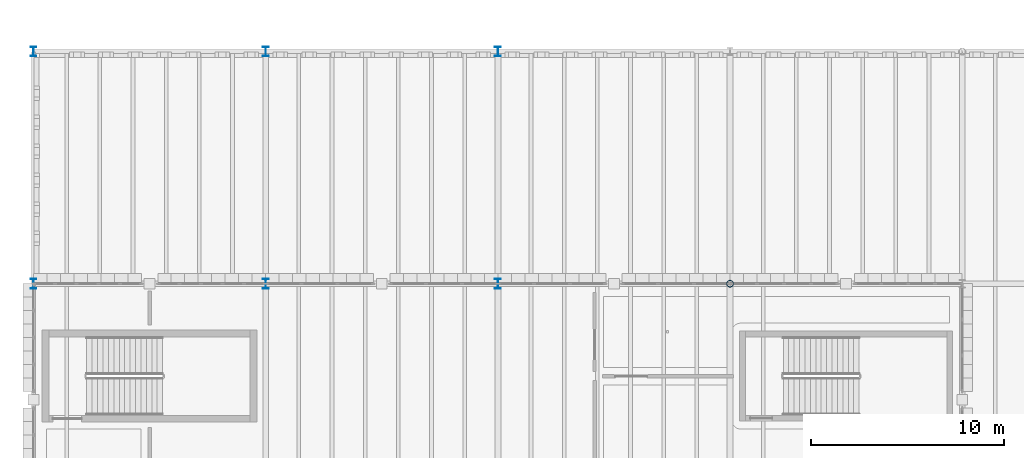
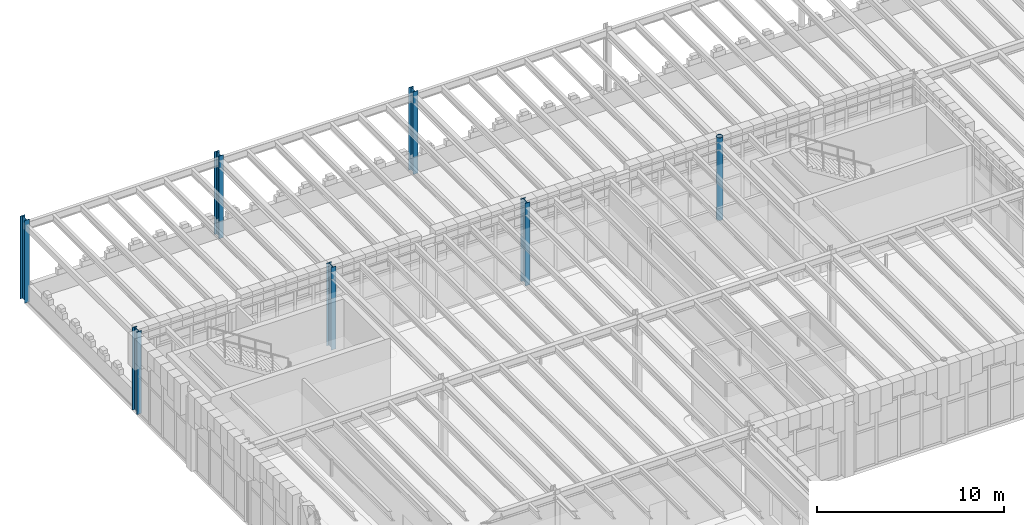
# One storey, part 6 of 100: 7 columns.
"""IFC4 building model written with IfcOpenShell, lengths in metres."""

from ifc_helpers import new_model, si_unit, direction, frame, origin, origin_2d, place, context, subcontext, project, spatial, hollow_circle, i_section, extrude, material, material_profile, profile_set, type_object, element, save


model = new_model("IFC4")

# Units and contexts
model_context = context("Model", 3, precision=1e-05, world=origin(), true_north=direction((0.0, 1.0)))
body_context = subcontext(model_context, "Body", "Model", "MODEL_VIEW")
ifc_project = project(units=[si_unit("LENGTHUNIT", "METRE"), si_unit("AREAUNIT", "SQUARE_METRE"), si_unit("VOLUMEUNIT", "CUBIC_METRE"), si_unit("PLANEANGLEUNIT", "RADIAN"), si_unit("MASSUNIT", "GRAM", prefix="KILO")], contexts=[model_context])

# Site, building, storey
site_placement = place(None, origin())
site = spatial("IfcSite", under=ifc_project, at=site_placement, CompositionType="ELEMENT")
building_placement = place(site_placement, origin())
building = spatial("IfcBuilding", under=site, at=building_placement, Name="Zlatogorsky Bluff Art Gallery", CompositionType="ELEMENT")
storey_placement = place(building_placement, frame((0.0, 0.0, 5.39990234375)))
storey = spatial("IfcBuildingStorey", under=building, at=storey_placement, Name="L01", CompositionType="ELEMENT", Elevation=5.39990234375)

# Columns
ifc_material = material(Name="Steel S355", Category="steel")
ifc_material_profile_1 = material_profile(ifc_material, i_section(OverallWidth=0.300048828125, OverallDepth=0.5, WebThickness=0.014404296875, FlangeThickness=0.028076171875, FilletRadius=0.027099609375, at=origin_2d()), Name="HEB 500")
ifc_profile_set_1 = profile_set([ifc_material_profile_1], Name="Steel S355")
column_type_1 = type_object("IfcColumnType", Name="Column CL-02 HEB 500", PredefinedType="COLUMN", material=ifc_profile_set_1)
for number, where, z_axis, x_axis, name in (
    (1, (0.0, 108.0, 0.0), (0.0, 0.0, 1.0), (1.0, 0.0, 0.0), "Column CL-02 L01 A11"),
    (2, (0.0, 120.0, 0.0), (0.0, 0.0, 1.0), (1.0, 0.0, 0.0), "Column CL-02 L01 A12"),
    (3, (12.0, 108.0, 0.0), (0.0, 0.0, 1.0), (1.0, 0.0, 0.0), "Column CL-02 L01 B11"),
    (4, (12.0, 120.0, 0.0), (0.0, 0.0, 1.0), (1.0, 0.0, 0.0), "Column CL-02 L01 B12"),
    (5, (24.0, 108.0, 0.0), (0.0, 0.0, 1.0), (1.0, 0.0, 0.0), "Column CL-02 L01 C11"),
    (6, (24.0, 120.0, 0.0), (0.0, 0.0, 1.0), (1.0, 0.0, 0.0), "Column CL-02 L01 C12"),
):
    element("IfcColumn", number, at=place(storey_placement, frame(where, z_axis=z_axis, x_axis=x_axis)), inside=storey, type_object=column_type_1, Name=name, PredefinedType="COLUMN", context=body_context, shape_type="SweptSolid", body=[
        extrude(i_section(OverallWidth=0.300048828125, OverallDepth=0.5, WebThickness=0.014404296875, FlangeThickness=0.028076171875, FilletRadius=0.027099609375, at=origin_2d()), origin(), (0.0, 0.0, 1.0), 5.400146484375),
    ])
ifc_material_profile_2 = material_profile(ifc_material, hollow_circle(Radius=0.177734375, WallThickness=0.01611328125, at=origin_2d()), Name="CHS 355.6x16")
ifc_profile_set_2 = profile_set([ifc_material_profile_2], Name="Steel S355")
column_type_2 = type_object("IfcColumnType", Name="Column CL-10 CHS 355.6x16", PredefinedType="COLUMN", material=ifc_profile_set_2)
column_placement = place(storey_placement, frame((36.0, 108.0, 0.0), z_axis=(0.0, 0.0, 1.0), x_axis=(1.0, 0.0, 0.0)))
element("IfcColumn", 7, at=column_placement, inside=storey, type_object=column_type_2, Name="Column CL-10 L01 D11", PredefinedType="COLUMN", context=body_context, shape_type="SweptSolid", body=[
    extrude(hollow_circle(Radius=0.177734375, WallThickness=0.01611328125, at=origin_2d()), origin(), (0.0, 0.0, 1.0), 5.400146484375),
])

save(model, "model.ifc")
